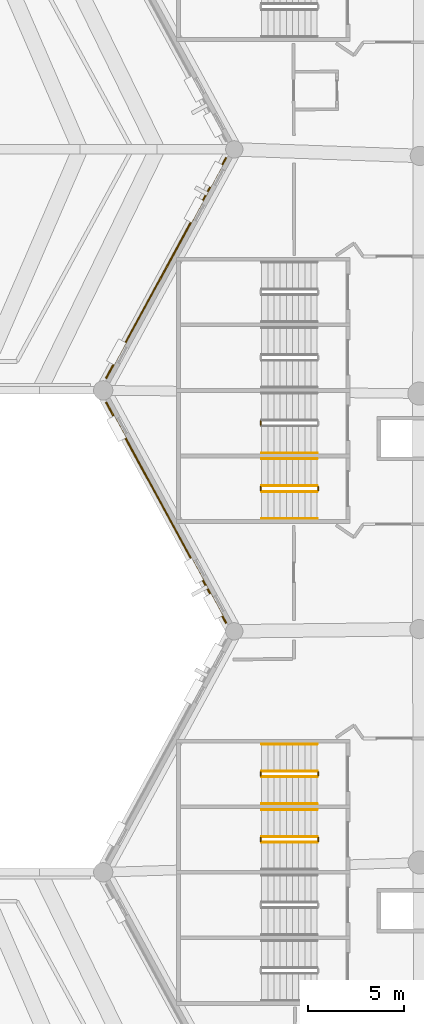
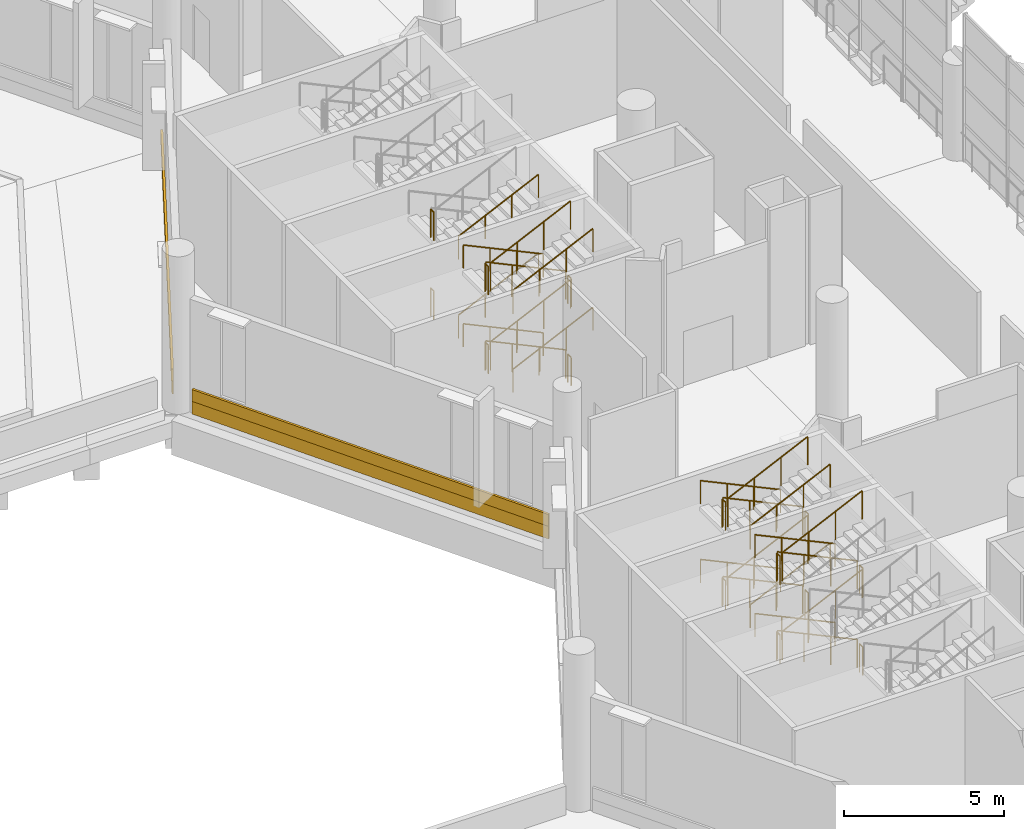
# One storey, part 124 of 173: 38 railings, 4 coverings.
"""IFC4 building model written with IfcOpenShell, lengths in metres."""

from ifc_helpers import new_model, si_unit, direction, frame, origin, origin_2d, place, context, subcontext, project, spatial, rectangle, circle, extrude, material, layer, layer_set, type_object, element, save


model = new_model("IFC4")

# Units and contexts
model_context = context("Model", 3, precision=1e-05, world=origin(), true_north=direction((0.0, 1.0)))
body_context = subcontext(model_context, "Body", "Model", "MODEL_VIEW")
ifc_project = project(units=[si_unit("LENGTHUNIT", "METRE"), si_unit("AREAUNIT", "SQUARE_METRE"), si_unit("VOLUMEUNIT", "CUBIC_METRE"), si_unit("PLANEANGLEUNIT", "RADIAN"), si_unit("MASSUNIT", "GRAM", prefix="KILO")], contexts=[model_context])

# Site, building, storey
site_placement = place(None, origin())
site = spatial("IfcSite", under=ifc_project, at=site_placement, CompositionType="ELEMENT")
building_placement = place(site_placement, origin())
building = spatial("IfcBuilding", under=site, at=building_placement, Name="Meseta Stadium", CompositionType="ELEMENT")
storey_placement = place(building_placement, frame((0.0, 0.0, 18.0)))
storey = spatial("IfcBuildingStorey", under=building, at=storey_placement, Name="L03", CompositionType="ELEMENT", Elevation=18.0)

# Coverings
ifc_material_1 = material(Name="Guadarrama granite cladding", Category="masonry")
ifc_layer_1 = layer(ifc_material_1, 0.06005859375)
ifc_layer_set_1 = layer_set([ifc_layer_1], Name="Granite plinth cladding 60")
covering_type_1 = type_object("IfcCoveringType", Name="Granite plinth cladding 60", PredefinedType="CLADDING", material=ifc_layer_set_1)
for number, where, z_axis, x_axis, name in (
    (1, (-98.124267578125, 12.595947265625, 0.0), (0.0, 0.0, 1.0), (0.47786723231, 0.878432073802, 0.0), "Granite plinth L03 F31"),
    (2, (-98.124267578125, -0.095947265625, 0.0), (0.0, 0.0, 1.0), (-0.47786723231, 0.878432073802, 0.0), "Granite plinth L03 F32"),
):
    element("IfcCovering", number, at=place(storey_placement, frame(where, z_axis=z_axis, x_axis=x_axis)), inside=storey, type_object=covering_type_1, Name=name, PredefinedType="CLADDING", context=body_context, shape_type="SweptSolid", body=[
        extrude(rectangle(XDim=13.040283203125, YDim=0.06005859375, at=origin_2d()), origin(), (0.0, 0.0, 1.0), 0.5),
    ])

# Railings
ifc_material_2 = material(Name="Steel S355", Category="steel")
railing_type_1 = type_object("IfcRailingType", Name="Stair guard 1100", PredefinedType="GUARDRAIL", material=ifc_material_2)
for number, where, name in (
    (3, (-93.22998046875, 4.64990234375, 1.5), "ST67 L03 guard 2"),
    (4, (-93.22998046875, 4.64990234375, 4.5), "ST67 L03 guard 6"),
):
    element("IfcRailing", number, at=place(storey_placement, frame(where)), inside=storey, type_object=railing_type_1, Name=name, PredefinedType="GUARDRAIL", context=body_context, shape_type="SweptSolid", body=[
        extrude(circle(Radius=0.02392578125, at=origin_2d()), frame((0.0, 0.0, 1.076171875), z_axis=(0.0, -1.0, 0.0), x_axis=(1.0, 0.0, 0.0)), (0.0, 0.0, 1.0), 0.199951171875),
        extrude(circle(Radius=0.02099609375, at=origin_2d()), origin(), (0.0, 0.0, 1.0), 1.052001953125),
        extrude(circle(Radius=0.02099609375, at=origin_2d()), frame((0.0, -0.199951171875, 0.0)), (0.0, 0.0, 1.0), 1.052001953125),
    ])
railing_1_placement = place(storey_placement, frame((-90.300048828125, 1.300048828125, 0.14990234375)))
element("IfcRailing", 5, at=railing_1_placement, inside=storey, type_object=railing_type_1, Name="ST68 L03 guard 1", PredefinedType="GUARDRAIL", context=body_context, shape_type="SweptSolid", body=[
    extrude(circle(Radius=0.02392578125, at=origin_2d()), frame((0.0, 0.0, 1.076171875), z_axis=(-0.905440498372, 0.0, 0.424473207528), x_axis=(0.0, -1.0, 0.0)), (0.0, 0.0, 1.0), 3.1806640625),
    extrude(circle(Radius=0.02099609375, at=origin_2d()), origin(), (0.0, 0.0, 1.0), 1.052001953125),
    extrude(circle(Radius=0.02099609375, at=origin_2d()), frame((-0.9599609375, 0.0, 0.449951171875)), (0.0, 0.0, 1.0), 1.052001953125),
    extrude(circle(Radius=0.02099609375, at=origin_2d()), frame((-1.919921875, 0.0, 0.900146484375)), (0.0, 0.0, 1.0), 1.052001953125),
    extrude(circle(Radius=0.02099609375, at=origin_2d()), frame((-2.8798828125, 0.0, 1.35009765625)), (0.0, 0.0, 1.0), 1.052001953125),
])
railing_2_placement = place(storey_placement, frame((-93.22998046875, 1.25, 1.5)))
element("IfcRailing", 6, at=railing_2_placement, inside=storey, type_object=railing_type_1, Name="ST68 L03 guard 2", PredefinedType="GUARDRAIL", context=body_context, shape_type="SweptSolid", body=[
    extrude(circle(Radius=0.02392578125, at=origin_2d()), frame((0.0, 0.0, 1.076171875), z_axis=(0.0, -1.0, 0.0), x_axis=(1.0, 0.0, 0.0)), (0.0, 0.0, 1.0), 0.199951171875),
    extrude(circle(Radius=0.02099609375, at=origin_2d()), origin(), (0.0, 0.0, 1.0), 1.052001953125),
    extrude(circle(Radius=0.02099609375, at=origin_2d()), frame((0.0, -0.199951171875, 0.0)), (0.0, 0.0, 1.0), 1.052001953125),
])
railing_3_placement = place(storey_placement, frame((-93.179931640625, 1.0, 1.64990234375)))
element("IfcRailing", 7, at=railing_3_placement, inside=storey, type_object=railing_type_1, Name="ST68 L03 guard 3", PredefinedType="GUARDRAIL", context=body_context, shape_type="SweptSolid", body=[
    extrude(circle(Radius=0.02392578125, at=origin_2d()), frame((0.0, 0.0, 1.076171875), z_axis=(0.905440498372, 0.0, 0.424473207528), x_axis=(0.0, 1.0, 0.0)), (0.0, 0.0, 1.0), 3.1806640625),
    extrude(circle(Radius=0.02099609375, at=origin_2d()), origin(), (0.0, 0.0, 1.0), 1.052001953125),
    extrude(circle(Radius=0.02099609375, at=origin_2d()), frame((0.9599609375, 0.0, 0.449951171875)), (0.0, 0.0, 1.0), 1.052001953125),
    extrude(circle(Radius=0.02099609375, at=origin_2d()), frame((1.919921875, 0.0, 0.900146484375)), (0.0, 0.0, 1.0), 1.052001953125),
    extrude(circle(Radius=0.02099609375, at=origin_2d()), frame((2.8798828125, 0.0, 1.35009765625)), (0.0, 0.0, 1.0), 1.052001953125),
])
railing_4_placement = place(storey_placement, frame((-90.25, 1.25, 3.0)))
element("IfcRailing", 8, at=railing_4_placement, inside=storey, type_object=railing_type_1, Name="ST68 L03 guard 4", PredefinedType="GUARDRAIL", context=body_context, shape_type="SweptSolid", body=[
    extrude(circle(Radius=0.02392578125, at=origin_2d()), frame((0.0, 0.0, 1.076171875), z_axis=(0.0, -1.0, 0.0), x_axis=(1.0, 0.0, 0.0)), (0.0, 0.0, 1.0), 0.199951171875),
    extrude(circle(Radius=0.02099609375, at=origin_2d()), origin(), (0.0, 0.0, 1.0), 1.052001953125),
    extrude(circle(Radius=0.02099609375, at=origin_2d()), frame((0.0, -0.199951171875, 0.0)), (0.0, 0.0, 1.0), 1.052001953125),
])
railing_5_placement = place(storey_placement, frame((-90.300048828125, 1.300048828125, 3.14990234375)))
element("IfcRailing", 9, at=railing_5_placement, inside=storey, type_object=railing_type_1, Name="ST68 L03 guard 5", PredefinedType="GUARDRAIL", context=body_context, shape_type="SweptSolid", body=[
    extrude(circle(Radius=0.02392578125, at=origin_2d()), frame((0.0, 0.0, 1.076171875), z_axis=(-0.905440498372, 0.0, 0.424473207528), x_axis=(0.0, -1.0, 0.0)), (0.0, 0.0, 1.0), 3.1806640625),
    extrude(circle(Radius=0.02099609375, at=origin_2d()), origin(), (0.0, 0.0, 1.0), 1.052001953125),
    extrude(circle(Radius=0.02099609375, at=origin_2d()), frame((-0.9599609375, 0.0, 0.449951171875)), (0.0, 0.0, 1.0), 1.052001953125),
    extrude(circle(Radius=0.02099609375, at=origin_2d()), frame((-1.919921875, 0.0, 0.900146484375)), (0.0, 0.0, 1.0), 1.052001953125),
    extrude(circle(Radius=0.02099609375, at=origin_2d()), frame((-2.8798828125, 0.0, 1.35009765625)), (0.0, 0.0, 1.0), 1.052001953125),
])
railing_6_placement = place(storey_placement, frame((-93.22998046875, 1.25, 4.5)))
element("IfcRailing", 10, at=railing_6_placement, inside=storey, type_object=railing_type_1, Name="ST68 L03 guard 6", PredefinedType="GUARDRAIL", context=body_context, shape_type="SweptSolid", body=[
    extrude(circle(Radius=0.02392578125, at=origin_2d()), frame((0.0, 0.0, 1.076171875), z_axis=(0.0, -1.0, 0.0), x_axis=(1.0, 0.0, 0.0)), (0.0, 0.0, 1.0), 0.199951171875),
    extrude(circle(Radius=0.02099609375, at=origin_2d()), origin(), (0.0, 0.0, 1.0), 1.052001953125),
    extrude(circle(Radius=0.02099609375, at=origin_2d()), frame((0.0, -0.199951171875, 0.0)), (0.0, 0.0, 1.0), 1.052001953125),
])
railing_7_placement = place(storey_placement, frame((-93.179931640625, 1.0, 4.64990234375)))
element("IfcRailing", 11, at=railing_7_placement, inside=storey, type_object=railing_type_1, Name="ST68 L03 guard 7", PredefinedType="GUARDRAIL", context=body_context, shape_type="SweptSolid", body=[
    extrude(circle(Radius=0.02392578125, at=origin_2d()), frame((0.0, 0.0, 1.076171875), z_axis=(0.905440498372, 0.0, 0.424473207528), x_axis=(0.0, 1.0, 0.0)), (0.0, 0.0, 1.0), 3.1806640625),
    extrude(circle(Radius=0.02099609375, at=origin_2d()), origin(), (0.0, 0.0, 1.0), 1.052001953125),
    extrude(circle(Radius=0.02099609375, at=origin_2d()), frame((0.9599609375, 0.0, 0.449951171875)), (0.0, 0.0, 1.0), 1.052001953125),
    extrude(circle(Radius=0.02099609375, at=origin_2d()), frame((1.919921875, 0.0, 0.900146484375)), (0.0, 0.0, 1.0), 1.052001953125),
    extrude(circle(Radius=0.02099609375, at=origin_2d()), frame((2.8798828125, 0.0, 1.35009765625)), (0.0, 0.0, 1.0), 1.052001953125),
])
railing_8_placement = place(storey_placement, frame((-90.25, 1.25, 0.0)))
element("IfcRailing", 12, at=railing_8_placement, inside=storey, type_object=railing_type_1, Name="ST68 L03 guard 8", PredefinedType="GUARDRAIL", context=body_context, shape_type="SweptSolid", body=[
    extrude(circle(Radius=0.02392578125, at=origin_2d()), frame((0.0, 0.0, 1.076171875), z_axis=(0.0, -1.0, 0.0), x_axis=(1.0, 0.0, 0.0)), (0.0, 0.0, 1.0), 0.199951171875),
    extrude(circle(Radius=0.02099609375, at=origin_2d()), origin(), (0.0, 0.0, 1.0), 1.052001953125),
    extrude(circle(Radius=0.02099609375, at=origin_2d()), frame((0.0, -0.199951171875, 0.0)), (0.0, 0.0, 1.0), 1.052001953125),
])
railing_9_placement = place(storey_placement, frame((-90.300048828125, -13.5, 0.14990234375)))
element("IfcRailing", 13, at=railing_9_placement, inside=storey, type_object=railing_type_1, Name="ST69 L03 guard 1", PredefinedType="GUARDRAIL", context=body_context, shape_type="SweptSolid", body=[
    extrude(circle(Radius=0.02392578125, at=origin_2d()), frame((0.0, 0.0, 1.076171875), z_axis=(-0.905440498372, 0.0, 0.424473207528), x_axis=(0.0, -1.0, 0.0)), (0.0, 0.0, 1.0), 3.1806640625),
    extrude(circle(Radius=0.02099609375, at=origin_2d()), origin(), (0.0, 0.0, 1.0), 1.052001953125),
    extrude(circle(Radius=0.02099609375, at=origin_2d()), frame((-0.9599609375, 0.0, 0.449951171875)), (0.0, 0.0, 1.0), 1.052001953125),
    extrude(circle(Radius=0.02099609375, at=origin_2d()), frame((-1.919921875, 0.0, 0.900146484375)), (0.0, 0.0, 1.0), 1.052001953125),
    extrude(circle(Radius=0.02099609375, at=origin_2d()), frame((-2.8798828125, 0.0, 1.35009765625)), (0.0, 0.0, 1.0), 1.052001953125),
])
railing_10_placement = place(storey_placement, frame((-93.22998046875, -13.550048828125, 1.5)))
element("IfcRailing", 14, at=railing_10_placement, inside=storey, type_object=railing_type_1, Name="ST69 L03 guard 2", PredefinedType="GUARDRAIL", context=body_context, shape_type="SweptSolid", body=[
    extrude(circle(Radius=0.02392578125, at=origin_2d()), frame((0.0, 0.0, 1.076171875), z_axis=(0.0, -1.0, 0.0), x_axis=(1.0, 0.0, 0.0)), (0.0, 0.0, 1.0), 0.199951171875),
    extrude(circle(Radius=0.02099609375, at=origin_2d()), origin(), (0.0, 0.0, 1.0), 1.052001953125),
    extrude(circle(Radius=0.02099609375, at=origin_2d()), frame((0.0, -0.199951171875, 0.0)), (0.0, 0.0, 1.0), 1.052001953125),
])
railing_11_placement = place(storey_placement, frame((-93.179931640625, -13.800048828125, 1.64990234375)))
element("IfcRailing", 15, at=railing_11_placement, inside=storey, type_object=railing_type_1, Name="ST69 L03 guard 3", PredefinedType="GUARDRAIL", context=body_context, shape_type="SweptSolid", body=[
    extrude(circle(Radius=0.02392578125, at=origin_2d()), frame((0.0, 0.0, 1.076171875), z_axis=(0.905440498372, 0.0, 0.424473207528), x_axis=(0.0, 1.0, 0.0)), (0.0, 0.0, 1.0), 3.1806640625),
    extrude(circle(Radius=0.02099609375, at=origin_2d()), origin(), (0.0, 0.0, 1.0), 1.052001953125),
    extrude(circle(Radius=0.02099609375, at=origin_2d()), frame((0.9599609375, 0.0, 0.449951171875)), (0.0, 0.0, 1.0), 1.052001953125),
    extrude(circle(Radius=0.02099609375, at=origin_2d()), frame((1.919921875, 0.0, 0.900146484375)), (0.0, 0.0, 1.0), 1.052001953125),
    extrude(circle(Radius=0.02099609375, at=origin_2d()), frame((2.8798828125, 0.0, 1.35009765625)), (0.0, 0.0, 1.0), 1.052001953125),
])
railing_12_placement = place(storey_placement, frame((-90.25, -13.550048828125, 3.0)))
element("IfcRailing", 16, at=railing_12_placement, inside=storey, type_object=railing_type_1, Name="ST69 L03 guard 4", PredefinedType="GUARDRAIL", context=body_context, shape_type="SweptSolid", body=[
    extrude(circle(Radius=0.02392578125, at=origin_2d()), frame((0.0, 0.0, 1.076171875), z_axis=(0.0, -1.0, 0.0), x_axis=(1.0, 0.0, 0.0)), (0.0, 0.0, 1.0), 0.199951171875),
    extrude(circle(Radius=0.02099609375, at=origin_2d()), origin(), (0.0, 0.0, 1.0), 1.052001953125),
    extrude(circle(Radius=0.02099609375, at=origin_2d()), frame((0.0, -0.199951171875, 0.0)), (0.0, 0.0, 1.0), 1.052001953125),
])
railing_13_placement = place(storey_placement, frame((-90.300048828125, -13.5, 3.14990234375)))
element("IfcRailing", 17, at=railing_13_placement, inside=storey, type_object=railing_type_1, Name="ST69 L03 guard 5", PredefinedType="GUARDRAIL", context=body_context, shape_type="SweptSolid", body=[
    extrude(circle(Radius=0.02392578125, at=origin_2d()), frame((0.0, 0.0, 1.076171875), z_axis=(-0.905440498372, 0.0, 0.424473207528), x_axis=(0.0, -1.0, 0.0)), (0.0, 0.0, 1.0), 3.1806640625),
    extrude(circle(Radius=0.02099609375, at=origin_2d()), origin(), (0.0, 0.0, 1.0), 1.052001953125),
    extrude(circle(Radius=0.02099609375, at=origin_2d()), frame((-0.9599609375, 0.0, 0.449951171875)), (0.0, 0.0, 1.0), 1.052001953125),
    extrude(circle(Radius=0.02099609375, at=origin_2d()), frame((-1.919921875, 0.0, 0.900146484375)), (0.0, 0.0, 1.0), 1.052001953125),
    extrude(circle(Radius=0.02099609375, at=origin_2d()), frame((-2.8798828125, 0.0, 1.35009765625)), (0.0, 0.0, 1.0), 1.052001953125),
])
railing_14_placement = place(storey_placement, frame((-93.22998046875, -13.550048828125, 4.5)))
element("IfcRailing", 18, at=railing_14_placement, inside=storey, type_object=railing_type_1, Name="ST69 L03 guard 6", PredefinedType="GUARDRAIL", context=body_context, shape_type="SweptSolid", body=[
    extrude(circle(Radius=0.02392578125, at=origin_2d()), frame((0.0, 0.0, 1.076171875), z_axis=(0.0, -1.0, 0.0), x_axis=(1.0, 0.0, 0.0)), (0.0, 0.0, 1.0), 0.199951171875),
    extrude(circle(Radius=0.02099609375, at=origin_2d()), origin(), (0.0, 0.0, 1.0), 1.052001953125),
    extrude(circle(Radius=0.02099609375, at=origin_2d()), frame((0.0, -0.199951171875, 0.0)), (0.0, 0.0, 1.0), 1.052001953125),
])
railing_15_placement = place(storey_placement, frame((-93.179931640625, -13.800048828125, 4.64990234375)))
element("IfcRailing", 19, at=railing_15_placement, inside=storey, type_object=railing_type_1, Name="ST69 L03 guard 7", PredefinedType="GUARDRAIL", context=body_context, shape_type="SweptSolid", body=[
    extrude(circle(Radius=0.02392578125, at=origin_2d()), frame((0.0, 0.0, 1.076171875), z_axis=(0.905440498372, 0.0, 0.424473207528), x_axis=(0.0, 1.0, 0.0)), (0.0, 0.0, 1.0), 3.1806640625),
    extrude(circle(Radius=0.02099609375, at=origin_2d()), origin(), (0.0, 0.0, 1.0), 1.052001953125),
    extrude(circle(Radius=0.02099609375, at=origin_2d()), frame((0.9599609375, 0.0, 0.449951171875)), (0.0, 0.0, 1.0), 1.052001953125),
    extrude(circle(Radius=0.02099609375, at=origin_2d()), frame((1.919921875, 0.0, 0.900146484375)), (0.0, 0.0, 1.0), 1.052001953125),
    extrude(circle(Radius=0.02099609375, at=origin_2d()), frame((2.8798828125, 0.0, 1.35009765625)), (0.0, 0.0, 1.0), 1.052001953125),
])
railing_16_placement = place(storey_placement, frame((-90.25, -13.550048828125, 0.0)))
element("IfcRailing", 20, at=railing_16_placement, inside=storey, type_object=railing_type_1, Name="ST69 L03 guard 8", PredefinedType="GUARDRAIL", context=body_context, shape_type="SweptSolid", body=[
    extrude(circle(Radius=0.02392578125, at=origin_2d()), frame((0.0, 0.0, 1.076171875), z_axis=(0.0, -1.0, 0.0), x_axis=(1.0, 0.0, 0.0)), (0.0, 0.0, 1.0), 0.199951171875),
    extrude(circle(Radius=0.02099609375, at=origin_2d()), origin(), (0.0, 0.0, 1.0), 1.052001953125),
    extrude(circle(Radius=0.02099609375, at=origin_2d()), frame((0.0, -0.199951171875, 0.0)), (0.0, 0.0, 1.0), 1.052001953125),
])
railing_17_placement = place(storey_placement, frame((-90.300048828125, -16.89990234375, 0.14990234375)))
element("IfcRailing", 21, at=railing_17_placement, inside=storey, type_object=railing_type_1, Name="ST70 L03 guard 1", PredefinedType="GUARDRAIL", context=body_context, shape_type="SweptSolid", body=[
    extrude(circle(Radius=0.02392578125, at=origin_2d()), frame((0.0, 0.0, 1.076171875), z_axis=(-0.905440498372, 0.0, 0.424473207528), x_axis=(0.0, -1.0, 0.0)), (0.0, 0.0, 1.0), 3.1806640625),
    extrude(circle(Radius=0.02099609375, at=origin_2d()), origin(), (0.0, 0.0, 1.0), 1.052001953125),
    extrude(circle(Radius=0.02099609375, at=origin_2d()), frame((-0.9599609375, 0.0, 0.449951171875)), (0.0, 0.0, 1.0), 1.052001953125),
    extrude(circle(Radius=0.02099609375, at=origin_2d()), frame((-1.919921875, 0.0, 0.900146484375)), (0.0, 0.0, 1.0), 1.052001953125),
    extrude(circle(Radius=0.02099609375, at=origin_2d()), frame((-2.8798828125, 0.0, 1.35009765625)), (0.0, 0.0, 1.0), 1.052001953125),
])
railing_18_placement = place(storey_placement, frame((-93.22998046875, -16.949951171875, 1.5)))
element("IfcRailing", 22, at=railing_18_placement, inside=storey, type_object=railing_type_1, Name="ST70 L03 guard 2", PredefinedType="GUARDRAIL", context=body_context, shape_type="SweptSolid", body=[
    extrude(circle(Radius=0.02392578125, at=origin_2d()), frame((0.0, 0.0, 1.076171875), z_axis=(0.0, -1.0, 0.0), x_axis=(1.0, 0.0, 0.0)), (0.0, 0.0, 1.0), 0.199951171875),
    extrude(circle(Radius=0.02099609375, at=origin_2d()), origin(), (0.0, 0.0, 1.0), 1.052001953125),
    extrude(circle(Radius=0.02099609375, at=origin_2d()), frame((0.0, -0.199951171875, 0.0)), (0.0, 0.0, 1.0), 1.052001953125),
])
railing_19_placement = place(storey_placement, frame((-93.179931640625, -17.199951171875, 1.64990234375)))
element("IfcRailing", 23, at=railing_19_placement, inside=storey, type_object=railing_type_1, Name="ST70 L03 guard 3", PredefinedType="GUARDRAIL", context=body_context, shape_type="SweptSolid", body=[
    extrude(circle(Radius=0.02392578125, at=origin_2d()), frame((0.0, 0.0, 1.076171875), z_axis=(0.905440498372, 0.0, 0.424473207528), x_axis=(0.0, 1.0, 0.0)), (0.0, 0.0, 1.0), 3.1806640625),
    extrude(circle(Radius=0.02099609375, at=origin_2d()), origin(), (0.0, 0.0, 1.0), 1.052001953125),
    extrude(circle(Radius=0.02099609375, at=origin_2d()), frame((0.9599609375, 0.0, 0.449951171875)), (0.0, 0.0, 1.0), 1.052001953125),
    extrude(circle(Radius=0.02099609375, at=origin_2d()), frame((1.919921875, 0.0, 0.900146484375)), (0.0, 0.0, 1.0), 1.052001953125),
    extrude(circle(Radius=0.02099609375, at=origin_2d()), frame((2.8798828125, 0.0, 1.35009765625)), (0.0, 0.0, 1.0), 1.052001953125),
])
railing_20_placement = place(storey_placement, frame((-90.25, -16.949951171875, 3.0)))
element("IfcRailing", 24, at=railing_20_placement, inside=storey, type_object=railing_type_1, Name="ST70 L03 guard 4", PredefinedType="GUARDRAIL", context=body_context, shape_type="SweptSolid", body=[
    extrude(circle(Radius=0.02392578125, at=origin_2d()), frame((0.0, 0.0, 1.076171875), z_axis=(0.0, -1.0, 0.0), x_axis=(1.0, 0.0, 0.0)), (0.0, 0.0, 1.0), 0.199951171875),
    extrude(circle(Radius=0.02099609375, at=origin_2d()), origin(), (0.0, 0.0, 1.0), 1.052001953125),
    extrude(circle(Radius=0.02099609375, at=origin_2d()), frame((0.0, -0.199951171875, 0.0)), (0.0, 0.0, 1.0), 1.052001953125),
])
railing_21_placement = place(storey_placement, frame((-90.300048828125, -16.89990234375, 3.14990234375)))
element("IfcRailing", 25, at=railing_21_placement, inside=storey, type_object=railing_type_1, Name="ST70 L03 guard 5", PredefinedType="GUARDRAIL", context=body_context, shape_type="SweptSolid", body=[
    extrude(circle(Radius=0.02392578125, at=origin_2d()), frame((0.0, 0.0, 1.076171875), z_axis=(-0.905440498372, 0.0, 0.424473207528), x_axis=(0.0, -1.0, 0.0)), (0.0, 0.0, 1.0), 3.1806640625),
    extrude(circle(Radius=0.02099609375, at=origin_2d()), origin(), (0.0, 0.0, 1.0), 1.052001953125),
    extrude(circle(Radius=0.02099609375, at=origin_2d()), frame((-0.9599609375, 0.0, 0.449951171875)), (0.0, 0.0, 1.0), 1.052001953125),
    extrude(circle(Radius=0.02099609375, at=origin_2d()), frame((-1.919921875, 0.0, 0.900146484375)), (0.0, 0.0, 1.0), 1.052001953125),
    extrude(circle(Radius=0.02099609375, at=origin_2d()), frame((-2.8798828125, 0.0, 1.35009765625)), (0.0, 0.0, 1.0), 1.052001953125),
])
railing_22_placement = place(storey_placement, frame((-93.22998046875, -16.949951171875, 4.5)))
element("IfcRailing", 26, at=railing_22_placement, inside=storey, type_object=railing_type_1, Name="ST70 L03 guard 6", PredefinedType="GUARDRAIL", context=body_context, shape_type="SweptSolid", body=[
    extrude(circle(Radius=0.02392578125, at=origin_2d()), frame((0.0, 0.0, 1.076171875), z_axis=(0.0, -1.0, 0.0), x_axis=(1.0, 0.0, 0.0)), (0.0, 0.0, 1.0), 0.199951171875),
    extrude(circle(Radius=0.02099609375, at=origin_2d()), origin(), (0.0, 0.0, 1.0), 1.052001953125),
    extrude(circle(Radius=0.02099609375, at=origin_2d()), frame((0.0, -0.199951171875, 0.0)), (0.0, 0.0, 1.0), 1.052001953125),
])
railing_23_placement = place(storey_placement, frame((-93.179931640625, -17.199951171875, 4.64990234375)))
element("IfcRailing", 27, at=railing_23_placement, inside=storey, type_object=railing_type_1, Name="ST70 L03 guard 7", PredefinedType="GUARDRAIL", context=body_context, shape_type="SweptSolid", body=[
    extrude(circle(Radius=0.02392578125, at=origin_2d()), frame((0.0, 0.0, 1.076171875), z_axis=(0.905440498372, 0.0, 0.424473207528), x_axis=(0.0, 1.0, 0.0)), (0.0, 0.0, 1.0), 3.1806640625),
    extrude(circle(Radius=0.02099609375, at=origin_2d()), origin(), (0.0, 0.0, 1.0), 1.052001953125),
    extrude(circle(Radius=0.02099609375, at=origin_2d()), frame((0.9599609375, 0.0, 0.449951171875)), (0.0, 0.0, 1.0), 1.052001953125),
    extrude(circle(Radius=0.02099609375, at=origin_2d()), frame((1.919921875, 0.0, 0.900146484375)), (0.0, 0.0, 1.0), 1.052001953125),
    extrude(circle(Radius=0.02099609375, at=origin_2d()), frame((2.8798828125, 0.0, 1.35009765625)), (0.0, 0.0, 1.0), 1.052001953125),
])
railing_24_placement = place(storey_placement, frame((-90.25, -16.949951171875, 0.0)))
element("IfcRailing", 28, at=railing_24_placement, inside=storey, type_object=railing_type_1, Name="ST70 L03 guard 8", PredefinedType="GUARDRAIL", context=body_context, shape_type="SweptSolid", body=[
    extrude(circle(Radius=0.02392578125, at=origin_2d()), frame((0.0, 0.0, 1.076171875), z_axis=(0.0, -1.0, 0.0), x_axis=(1.0, 0.0, 0.0)), (0.0, 0.0, 1.0), 0.199951171875),
    extrude(circle(Radius=0.02099609375, at=origin_2d()), origin(), (0.0, 0.0, 1.0), 1.052001953125),
    extrude(circle(Radius=0.02099609375, at=origin_2d()), frame((0.0, -0.199951171875, 0.0)), (0.0, 0.0, 1.0), 1.052001953125),
])
ifc_material_3 = material(Name="Steel S355", Category="steel")
railing_type_2 = type_object("IfcRailingType", Name="Stair handrail 900", PredefinedType="HANDRAIL", material=ifc_material_3)
for number, where, name in (
    (29, (-93.179931640625, 3.0, 1.64990234375), "ST67 L03 handrail 2"),
    (30, (-93.179931640625, 3.0, 4.64990234375), "ST67 L03 handrail 4"),
):
    element("IfcRailing", number, at=place(storey_placement, frame(where)), inside=storey, type_object=railing_type_2, Name=name, PredefinedType="HANDRAIL", context=body_context, shape_type="SweptSolid", body=[
        extrude(circle(Radius=0.02392578125, at=origin_2d()), frame((0.0, 0.0, 0.8759765625), z_axis=(0.905440498372, 0.0, 0.424473207528), x_axis=(0.0, 1.0, 0.0)), (0.0, 0.0, 1.0), 3.1806640625),
        extrude(circle(Radius=0.02099609375, at=origin_2d()), origin(), (0.0, 0.0, 1.0), 0.851806640625),
        extrude(circle(Radius=0.02099609375, at=origin_2d()), frame((0.9599609375, 0.0, 0.449951171875)), (0.0, 0.0, 1.0), 0.851806640625),
        extrude(circle(Radius=0.02099609375, at=origin_2d()), frame((1.919921875, 0.0, 0.900146484375)), (0.0, 0.0, 1.0), 0.851806640625),
        extrude(circle(Radius=0.02099609375, at=origin_2d()), frame((2.8798828125, 0.0, 1.35009765625)), (0.0, 0.0, 1.0), 0.851806640625),
    ])
railing_25_placement = place(storey_placement, frame((-90.300048828125, 2.699951171875, 0.14990234375)))
element("IfcRailing", 31, at=railing_25_placement, inside=storey, type_object=railing_type_2, Name="ST68 L03 handrail 1", PredefinedType="HANDRAIL", context=body_context, shape_type="SweptSolid", body=[
    extrude(circle(Radius=0.02392578125, at=origin_2d()), frame((0.0, 0.0, 0.8759765625), z_axis=(-0.905440498372, 0.0, 0.424473207528), x_axis=(0.0, -1.0, 0.0)), (0.0, 0.0, 1.0), 3.1806640625),
    extrude(circle(Radius=0.02099609375, at=origin_2d()), origin(), (0.0, 0.0, 1.0), 0.851806640625),
    extrude(circle(Radius=0.02099609375, at=origin_2d()), frame((-0.9599609375, 0.0, 0.449951171875)), (0.0, 0.0, 1.0), 0.851806640625),
    extrude(circle(Radius=0.02099609375, at=origin_2d()), frame((-1.919921875, 0.0, 0.900146484375)), (0.0, 0.0, 1.0), 0.851806640625),
    extrude(circle(Radius=0.02099609375, at=origin_2d()), frame((-2.8798828125, 0.0, 1.35009765625)), (0.0, 0.0, 1.0), 0.851806640625),
])
railing_26_placement = place(storey_placement, frame((-93.179931640625, -0.39990234375, 1.64990234375)))
element("IfcRailing", 32, at=railing_26_placement, inside=storey, type_object=railing_type_2, Name="ST68 L03 handrail 2", PredefinedType="HANDRAIL", context=body_context, shape_type="SweptSolid", body=[
    extrude(circle(Radius=0.02392578125, at=origin_2d()), frame((0.0, 0.0, 0.8759765625), z_axis=(0.905440498372, 0.0, 0.424473207528), x_axis=(0.0, 1.0, 0.0)), (0.0, 0.0, 1.0), 3.1806640625),
    extrude(circle(Radius=0.02099609375, at=origin_2d()), origin(), (0.0, 0.0, 1.0), 0.851806640625),
    extrude(circle(Radius=0.02099609375, at=origin_2d()), frame((0.9599609375, 0.0, 0.449951171875)), (0.0, 0.0, 1.0), 0.851806640625),
    extrude(circle(Radius=0.02099609375, at=origin_2d()), frame((1.919921875, 0.0, 0.900146484375)), (0.0, 0.0, 1.0), 0.851806640625),
    extrude(circle(Radius=0.02099609375, at=origin_2d()), frame((2.8798828125, 0.0, 1.35009765625)), (0.0, 0.0, 1.0), 0.851806640625),
])
railing_27_placement = place(storey_placement, frame((-90.300048828125, 2.699951171875, 3.14990234375)))
element("IfcRailing", 33, at=railing_27_placement, inside=storey, type_object=railing_type_2, Name="ST68 L03 handrail 3", PredefinedType="HANDRAIL", context=body_context, shape_type="SweptSolid", body=[
    extrude(circle(Radius=0.02392578125, at=origin_2d()), frame((0.0, 0.0, 0.8759765625), z_axis=(-0.905440498372, 0.0, 0.424473207528), x_axis=(0.0, -1.0, 0.0)), (0.0, 0.0, 1.0), 3.1806640625),
    extrude(circle(Radius=0.02099609375, at=origin_2d()), origin(), (0.0, 0.0, 1.0), 0.851806640625),
    extrude(circle(Radius=0.02099609375, at=origin_2d()), frame((-0.9599609375, 0.0, 0.449951171875)), (0.0, 0.0, 1.0), 0.851806640625),
    extrude(circle(Radius=0.02099609375, at=origin_2d()), frame((-1.919921875, 0.0, 0.900146484375)), (0.0, 0.0, 1.0), 0.851806640625),
    extrude(circle(Radius=0.02099609375, at=origin_2d()), frame((-2.8798828125, 0.0, 1.35009765625)), (0.0, 0.0, 1.0), 0.851806640625),
])
railing_28_placement = place(storey_placement, frame((-93.179931640625, -0.39990234375, 4.64990234375)))
element("IfcRailing", 34, at=railing_28_placement, inside=storey, type_object=railing_type_2, Name="ST68 L03 handrail 4", PredefinedType="HANDRAIL", context=body_context, shape_type="SweptSolid", body=[
    extrude(circle(Radius=0.02392578125, at=origin_2d()), frame((0.0, 0.0, 0.8759765625), z_axis=(0.905440498372, 0.0, 0.424473207528), x_axis=(0.0, 1.0, 0.0)), (0.0, 0.0, 1.0), 3.1806640625),
    extrude(circle(Radius=0.02099609375, at=origin_2d()), origin(), (0.0, 0.0, 1.0), 0.851806640625),
    extrude(circle(Radius=0.02099609375, at=origin_2d()), frame((0.9599609375, 0.0, 0.449951171875)), (0.0, 0.0, 1.0), 0.851806640625),
    extrude(circle(Radius=0.02099609375, at=origin_2d()), frame((1.919921875, 0.0, 0.900146484375)), (0.0, 0.0, 1.0), 0.851806640625),
    extrude(circle(Radius=0.02099609375, at=origin_2d()), frame((2.8798828125, 0.0, 1.35009765625)), (0.0, 0.0, 1.0), 0.851806640625),
])
railing_29_placement = place(storey_placement, frame((-90.300048828125, -12.10009765625, 0.14990234375)))
element("IfcRailing", 35, at=railing_29_placement, inside=storey, type_object=railing_type_2, Name="ST69 L03 handrail 1", PredefinedType="HANDRAIL", context=body_context, shape_type="SweptSolid", body=[
    extrude(circle(Radius=0.02392578125, at=origin_2d()), frame((0.0, 0.0, 0.8759765625), z_axis=(-0.905440498372, 0.0, 0.424473207528), x_axis=(0.0, -1.0, 0.0)), (0.0, 0.0, 1.0), 3.1806640625),
    extrude(circle(Radius=0.02099609375, at=origin_2d()), origin(), (0.0, 0.0, 1.0), 0.851806640625),
    extrude(circle(Radius=0.02099609375, at=origin_2d()), frame((-0.9599609375, 0.0, 0.449951171875)), (0.0, 0.0, 1.0), 0.851806640625),
    extrude(circle(Radius=0.02099609375, at=origin_2d()), frame((-1.919921875, 0.0, 0.900146484375)), (0.0, 0.0, 1.0), 0.851806640625),
    extrude(circle(Radius=0.02099609375, at=origin_2d()), frame((-2.8798828125, 0.0, 1.35009765625)), (0.0, 0.0, 1.0), 0.851806640625),
])
railing_30_placement = place(storey_placement, frame((-93.179931640625, -15.199951171875, 1.64990234375)))
element("IfcRailing", 36, at=railing_30_placement, inside=storey, type_object=railing_type_2, Name="ST69 L03 handrail 2", PredefinedType="HANDRAIL", context=body_context, shape_type="SweptSolid", body=[
    extrude(circle(Radius=0.02392578125, at=origin_2d()), frame((0.0, 0.0, 0.8759765625), z_axis=(0.905440498372, 0.0, 0.424473207528), x_axis=(0.0, 1.0, 0.0)), (0.0, 0.0, 1.0), 3.1806640625),
    extrude(circle(Radius=0.02099609375, at=origin_2d()), origin(), (0.0, 0.0, 1.0), 0.851806640625),
    extrude(circle(Radius=0.02099609375, at=origin_2d()), frame((0.9599609375, 0.0, 0.449951171875)), (0.0, 0.0, 1.0), 0.851806640625),
    extrude(circle(Radius=0.02099609375, at=origin_2d()), frame((1.919921875, 0.0, 0.900146484375)), (0.0, 0.0, 1.0), 0.851806640625),
    extrude(circle(Radius=0.02099609375, at=origin_2d()), frame((2.8798828125, 0.0, 1.35009765625)), (0.0, 0.0, 1.0), 0.851806640625),
])
railing_31_placement = place(storey_placement, frame((-90.300048828125, -12.10009765625, 3.14990234375)))
element("IfcRailing", 37, at=railing_31_placement, inside=storey, type_object=railing_type_2, Name="ST69 L03 handrail 3", PredefinedType="HANDRAIL", context=body_context, shape_type="SweptSolid", body=[
    extrude(circle(Radius=0.02392578125, at=origin_2d()), frame((0.0, 0.0, 0.8759765625), z_axis=(-0.905440498372, 0.0, 0.424473207528), x_axis=(0.0, -1.0, 0.0)), (0.0, 0.0, 1.0), 3.1806640625),
    extrude(circle(Radius=0.02099609375, at=origin_2d()), origin(), (0.0, 0.0, 1.0), 0.851806640625),
    extrude(circle(Radius=0.02099609375, at=origin_2d()), frame((-0.9599609375, 0.0, 0.449951171875)), (0.0, 0.0, 1.0), 0.851806640625),
    extrude(circle(Radius=0.02099609375, at=origin_2d()), frame((-1.919921875, 0.0, 0.900146484375)), (0.0, 0.0, 1.0), 0.851806640625),
    extrude(circle(Radius=0.02099609375, at=origin_2d()), frame((-2.8798828125, 0.0, 1.35009765625)), (0.0, 0.0, 1.0), 0.851806640625),
])
railing_32_placement = place(storey_placement, frame((-93.179931640625, -15.199951171875, 4.64990234375)))
element("IfcRailing", 38, at=railing_32_placement, inside=storey, type_object=railing_type_2, Name="ST69 L03 handrail 4", PredefinedType="HANDRAIL", context=body_context, shape_type="SweptSolid", body=[
    extrude(circle(Radius=0.02392578125, at=origin_2d()), frame((0.0, 0.0, 0.8759765625), z_axis=(0.905440498372, 0.0, 0.424473207528), x_axis=(0.0, 1.0, 0.0)), (0.0, 0.0, 1.0), 3.1806640625),
    extrude(circle(Radius=0.02099609375, at=origin_2d()), origin(), (0.0, 0.0, 1.0), 0.851806640625),
    extrude(circle(Radius=0.02099609375, at=origin_2d()), frame((0.9599609375, 0.0, 0.449951171875)), (0.0, 0.0, 1.0), 0.851806640625),
    extrude(circle(Radius=0.02099609375, at=origin_2d()), frame((1.919921875, 0.0, 0.900146484375)), (0.0, 0.0, 1.0), 0.851806640625),
    extrude(circle(Radius=0.02099609375, at=origin_2d()), frame((2.8798828125, 0.0, 1.35009765625)), (0.0, 0.0, 1.0), 0.851806640625),
])
for number, where, name in (
    (39, (-90.300048828125, -15.5, 0.14990234375), "ST70 L03 handrail 1"),
    (40, (-90.300048828125, -15.5, 3.14990234375), "ST70 L03 handrail 3"),
):
    element("IfcRailing", number, at=place(storey_placement, frame(where)), inside=storey, type_object=railing_type_2, Name=name, PredefinedType="HANDRAIL", context=body_context, shape_type="SweptSolid", body=[
        extrude(circle(Radius=0.02392578125, at=origin_2d()), frame((0.0, 0.0, 0.8759765625), z_axis=(-0.905440498372, 0.0, 0.424473207528), x_axis=(0.0, -1.0, 0.0)), (0.0, 0.0, 1.0), 3.1806640625),
        extrude(circle(Radius=0.02099609375, at=origin_2d()), origin(), (0.0, 0.0, 1.0), 0.851806640625),
        extrude(circle(Radius=0.02099609375, at=origin_2d()), frame((-0.9599609375, 0.0, 0.449951171875)), (0.0, 0.0, 1.0), 0.851806640625),
        extrude(circle(Radius=0.02099609375, at=origin_2d()), frame((-1.919921875, 0.0, 0.900146484375)), (0.0, 0.0, 1.0), 0.851806640625),
        extrude(circle(Radius=0.02099609375, at=origin_2d()), frame((-2.8798828125, 0.0, 1.35009765625)), (0.0, 0.0, 1.0), 0.851806640625),
    ])

# Coverings
ifc_material_4 = material(Name="Precast concrete C40/50, terracotta pigment", Category="masonry")
ifc_layer_2 = layer(ifc_material_4, 0.080078125)
ifc_layer_set_2 = layer_set([ifc_layer_2], Name="Precast concrete C40/50, terracotta pigment")
covering_type_2 = type_object("IfcCoveringType", Name="Terracotta precast band 80", PredefinedType="CLADDING", material=ifc_layer_set_2)
for number, where, z_axis, x_axis, name in (
    (41, (-98.133056640625, 12.600830078125, 0.5), (0.0, 0.0, 1.0), (0.47786723231, 0.878432073802, 0.0), "Terracotta band L03 F31"),
    (42, (-98.133056640625, -0.100830078125, 0.5), (0.0, 0.0, 1.0), (-0.47786723231, 0.878432073802, 0.0), "Terracotta band L03 F32"),
):
    element("IfcCovering", number, at=place(storey_placement, frame(where, z_axis=z_axis, x_axis=x_axis)), inside=storey, type_object=covering_type_2, Name=name, PredefinedType="CLADDING", context=body_context, shape_type="SweptSolid", body=[
        extrude(rectangle(XDim=13.040283203125, YDim=0.080078125, at=origin_2d()), origin(), (0.0, 0.0, 1.0), 0.449951171875),
    ])

save(model, "model.ifc")
